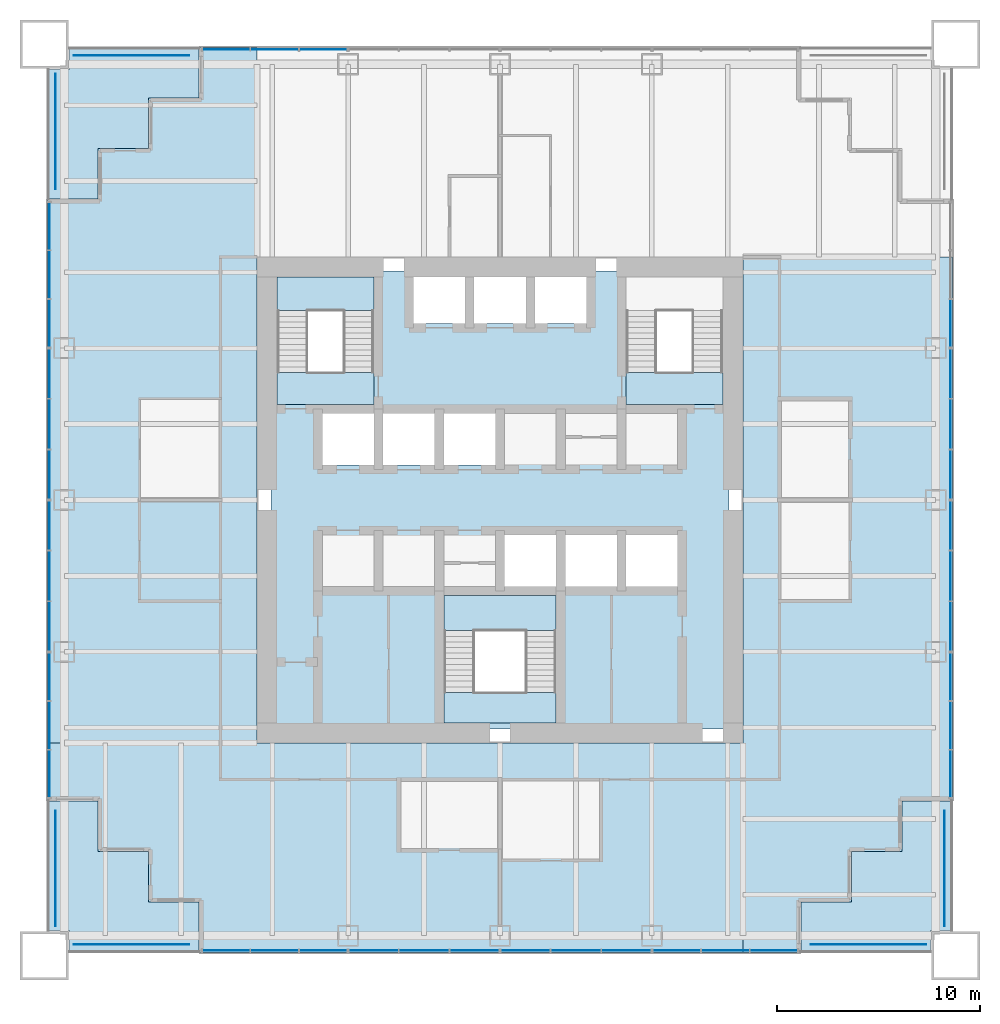
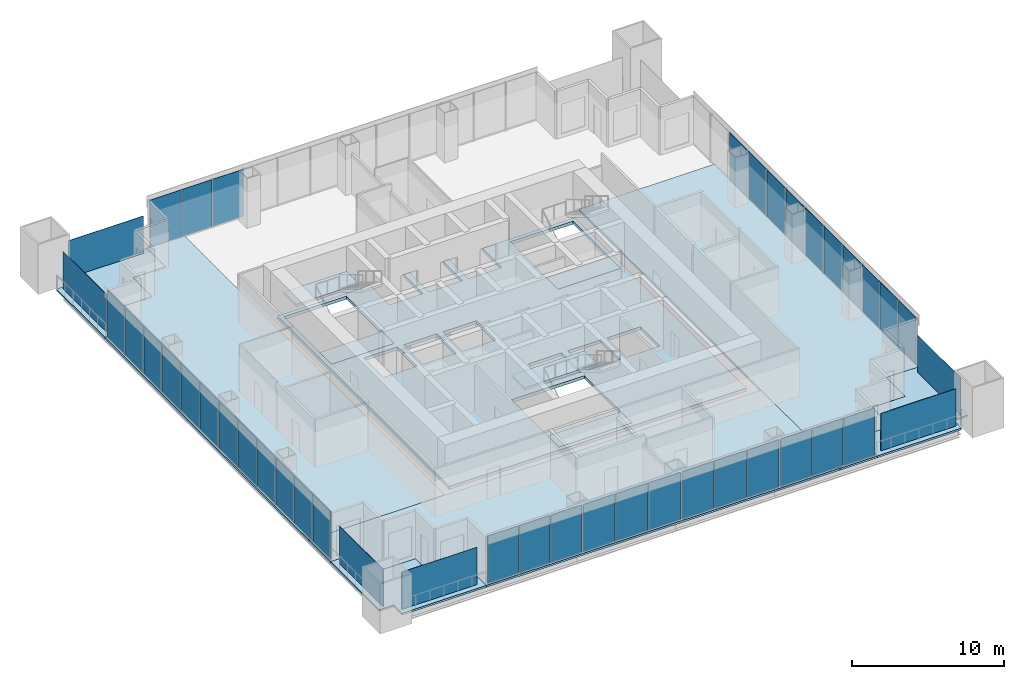
# One storey, part 7 of 13: 43 plates, 12 slabs, 16 elements without a shape of their own.
"""IFC4 building model written with IfcOpenShell, lengths in metres."""

from ifc_helpers import new_model, si_unit, direction, frame, origin, origin_2d, place, context, subcontext, project, spatial, polyline, rectangle, outline, extrude, material, layer, layer_set, type_object, element, aggregate, save


model = new_model("IFC4")

# Units and contexts
model_context = context("Model", 3, precision=1e-05, world=origin(), true_north=direction((0.0, 1.0)))
body_context = subcontext(model_context, "Body", "Model", "MODEL_VIEW")
ifc_project = project(units=[si_unit("LENGTHUNIT", "METRE"), si_unit("AREAUNIT", "SQUARE_METRE"), si_unit("VOLUMEUNIT", "CUBIC_METRE"), si_unit("PLANEANGLEUNIT", "RADIAN"), si_unit("MASSUNIT", "GRAM", prefix="KILO")], contexts=[model_context])

# Site, building, storey
site_placement = place(None, origin())
site = spatial("IfcSite", under=ifc_project, at=site_placement, CompositionType="ELEMENT")
building_placement = place(site_placement, origin())
building = spatial("IfcBuilding", under=site, at=building_placement, Name="Tarangal Relay Tower", CompositionType="ELEMENT")
storey_placement = place(building_placement, frame((0.0, 0.0, 217.89990234375)))
storey = spatial("IfcBuildingStorey", under=building, at=storey_placement, Name="L46", CompositionType="ELEMENT", Elevation=217.89990234375)

# Slabs
ifc_material_1 = material(Name="Concrete fc' 35 MPa", Category="concrete")
ifc_layer_1 = layer(ifc_material_1, 0.25)
ifc_layer_set_1 = layer_set([ifc_layer_1], Name="Core floor slab 250")
slab_type_1 = type_object("IfcSlabType", Name="Core floor slab 250", PredefinedType="FLOOR", material=ifc_layer_set_1)
slab_1_placement = place(storey_placement, frame((0.0, 0.0, -0.25)))
element("IfcSlab", 1, at=slab_1_placement, inside=storey, type_object=slab_type_1, Name="Core floor slab L46", PredefinedType="FLOOR", context=body_context, shape_type="SweptSolid", body=[
    extrude(outline(polyline([(11.300048828125, 11.300048828125), (11.300048828125, -11.300048828125), (-11.300048828125, -11.300048828125), (-11.300048828125, 11.300048828125), (-4.27490234375, 11.300048828125), (-4.27490234375, 8.72509765625), (-1.72509765625, 8.72509765625), (-1.72509765625, 11.300048828125), (-1.27490234375, 11.300048828125), (-1.27490234375, 8.72509765625), (1.27490234375, 8.72509765625), (1.27490234375, 11.300048828125), (1.72509765625, 11.300048828125), (1.72509765625, 8.72509765625), (4.27490234375, 8.72509765625), (4.27490234375, 11.300048828125), (11.300048828125, 11.300048828125)]), holes=[polyline([(-6.22509765625, 4.27490234375), (-8.77490234375, 4.27490234375), (-8.77490234375, 1.72509765625), (-6.22509765625, 1.72509765625), (-6.22509765625, 4.27490234375)]), polyline([(-3.22509765625, 1.72509765625), (-3.22509765625, 4.27490234375), (-5.77490234375, 4.27490234375), (-5.77490234375, 1.72509765625), (-3.22509765625, 1.72509765625)]), polyline([(-0.22509765625, 1.72509765625), (-0.22509765625, 4.27490234375), (-2.77490234375, 4.27490234375), (-2.77490234375, 1.72509765625), (-0.22509765625, 1.72509765625)]), polyline([(-6.22509765625, 11.0), (-11.0, 11.0), (-11.0, 4.72509765625), (-6.22509765625, 4.72509765625), (-6.22509765625, 11.0)]), polyline([(2.77490234375, -4.72509765625), (-2.77490234375, -4.72509765625), (-2.77490234375, -11.0), (2.77490234375, -11.0), (2.77490234375, -4.72509765625)]), polyline([(2.77490234375, -4.27490234375), (2.77490234375, -1.72509765625), (0.22509765625, -1.72509765625), (0.22509765625, -4.27490234375), (2.77490234375, -4.27490234375)]), polyline([(5.77490234375, -4.27490234375), (5.77490234375, -1.72509765625), (3.22509765625, -1.72509765625), (3.22509765625, -4.27490234375), (5.77490234375, -4.27490234375)]), polyline([(8.77490234375, -1.72509765625), (6.22509765625, -1.72509765625), (6.22509765625, -4.27490234375), (8.77490234375, -4.27490234375), (8.77490234375, -1.72509765625)]), polyline([(11.0, 4.72509765625), (11.0, 11.0), (6.22509765625, 11.0), (6.22509765625, 4.72509765625), (11.0, 4.72509765625)])]), origin(), (0.0, 0.0, 1.0), 0.25),
])
ifc_layer_2 = layer(ifc_material_1, 0.14990234375)
ifc_layer_set_2 = layer_set([ifc_layer_2], Name="Floor slab 150")
slab_type_2 = type_object("IfcSlabType", Name="Floor slab 150", PredefinedType="FLOOR", material=ifc_layer_set_2)
slab_2_placement = place(storey_placement, frame((0.0, 0.0, -0.14990234375)))
element("IfcSlab", 2, at=slab_2_placement, inside=storey, type_object=slab_type_2, Name="Floor slab FS3 L46 east bay", PredefinedType="FLOOR", context=body_context, shape_type="SweptSolid", body=[
    extrude(outline(polyline([(22.35009765625, -14.85009765625), (19.85009765625, -14.85009765625), (19.85009765625, -17.35009765625), (17.35009765625, -17.35009765625), (17.35009765625, -19.85009765625), (14.85009765625, -19.85009765625), (14.85009765625, -22.35009765625), (12.0, -22.35009765625), (12.0, 12.0), (22.35009765625, 12.0), (22.35009765625, -14.85009765625)])), origin(), (0.0, 0.0, 1.0), 0.14990234375),
])
slab_3_placement = place(storey_placement, frame((0.0, 0.0, -0.14990234375)))
element("IfcSlab", 3, at=slab_3_placement, inside=storey, type_object=slab_type_2, Name="Floor slab FS3 L46 south bay", PredefinedType="FLOOR", context=body_context, shape_type="SweptSolid", body=[
    extrude(outline(polyline([(-14.85009765625, -22.35009765625), (-14.85009765625, -19.85009765625), (-17.35009765625, -19.85009765625), (-17.35009765625, -17.35009765625), (-19.85009765625, -17.35009765625), (-19.85009765625, -14.85009765625), (-22.35009765625, -14.85009765625), (-22.35009765625, -12.0), (12.0, -12.0), (12.0, -22.35009765625), (-14.85009765625, -22.35009765625)])), origin(), (0.0, 0.0, 1.0), 0.14990234375),
])
slab_4_placement = place(storey_placement, frame((0.0, 0.0, -0.14990234375)))
element("IfcSlab", 4, at=slab_4_placement, inside=storey, type_object=slab_type_2, Name="Floor slab FS3 L46 west bay", PredefinedType="FLOOR", context=body_context, shape_type="SweptSolid", body=[
    extrude(outline(polyline([(-12.0, 22.35009765625), (-12.0, -12.0), (-22.35009765625, -12.0), (-22.35009765625, 14.85009765625), (-19.85009765625, 14.85009765625), (-19.85009765625, 17.35009765625), (-17.35009765625, 17.35009765625), (-17.35009765625, 19.85009765625), (-14.85009765625, 19.85009765625), (-14.85009765625, 22.35009765625), (-12.0, 22.35009765625)])), origin(), (0.0, 0.0, 1.0), 0.14990234375),
])

# Curtain wall, plates
ifc_material_2 = material(Name="Unitised curtain wall, dark glass and black aluminium", Category="aluminium")
curtain_wall_type = type_object("IfcCurtainWallType", Name="Curtain wall CW-A", PredefinedType="USERDEFINED", material=ifc_material_2)
curtain_wall_1_placement = place(storey_placement, origin())
curtain_wall_1 = element("IfcCurtainWall", 5, at=curtain_wall_1_placement, inside=storey, type_object=curtain_wall_type, Name="Curtain wall CW-A N facade L46", ObjectType="UNITISED CURTAIN WALL", PredefinedType="USERDEFINED")
ifc_material_3 = material(Name="Dark tinted insulated glass unit", Category="glass")
ifc_layer_3 = layer(ifc_material_3, 0.031982421875)
ifc_layer_set_3 = layer_set([ifc_layer_3], Name="Glazed panel CW-A 32")
plate_type_1 = type_object("IfcPlateType", Name="Glazed panel CW-A 32", PredefinedType="CURTAIN_PANEL", material=ifc_layer_set_3)
plate_1_placement = place(storey_placement, frame((-13.525390625, 22.25, 0.06494140625), z_axis=(0.0, 0.0, 1.0), x_axis=(1.0, 0.0, 0.0)))
plate_1 = element("IfcPlate", 6, at=plate_1_placement, type_object=plate_type_1, Name="CW-A panel 1.1", PredefinedType="CURTAIN_PANEL", context=body_context, shape_type="SweptSolid", body=[
    extrude(rectangle(XDim=2.319091796875, YDim=0.031982421875, at=origin_2d()), origin(), (0.0, 0.0, 1.0), 3.784912109375),
])
plate_2_placement = place(storey_placement, frame((-11.125, 22.25, 0.06494140625), z_axis=(0.0, 0.0, 1.0), x_axis=(1.0, 0.0, 0.0)))
plate_2 = element("IfcPlate", 7, at=plate_2_placement, type_object=plate_type_1, Name="CW-A panel 2.1", PredefinedType="CURTAIN_PANEL", context=body_context, shape_type="SweptSolid", body=[
    extrude(rectangle(XDim=2.3515625, YDim=0.031982421875, at=origin_2d()), origin(), (0.0, 0.0, 1.0), 3.784912109375),
])
plate_3_placement = place(storey_placement, frame((-8.724609375, 22.25, 0.06494140625), z_axis=(0.0, 0.0, 1.0), x_axis=(1.0, 0.0, 0.0)))
plate_3 = element("IfcPlate", 8, at=plate_3_placement, type_object=plate_type_1, Name="CW-A panel 3.1", PredefinedType="CURTAIN_PANEL", context=body_context, shape_type="SweptSolid", body=[
    extrude(rectangle(XDim=2.319091796875, YDim=0.031982421875, at=origin_2d()), origin(), (0.0, 0.0, 1.0), 3.784912109375),
])
aggregate(curtain_wall_1, [plate_1, plate_2, plate_3])

# Curtain wall, plate
curtain_wall_2_placement = place(storey_placement, origin())
curtain_wall_2 = element("IfcCurtainWall", 9, at=curtain_wall_2_placement, inside=storey, type_object=curtain_wall_type, Name="Curtain wall CW-A E facade L46", ObjectType="UNITISED CURTAIN WALL", PredefinedType="USERDEFINED")
plate_4_placement = place(storey_placement, frame((22.25, 8.724609375, 0.06494140625), z_axis=(0.0, 0.0, 1.0), x_axis=(0.0, -1.0, 0.0)))
plate_4 = element("IfcPlate", 10, at=plate_4_placement, type_object=plate_type_1, Name="CW-A panel 3.1", PredefinedType="CURTAIN_PANEL", context=body_context, shape_type="SweptSolid", body=[
    extrude(rectangle(XDim=2.319091796875, YDim=0.031982421875, at=origin_2d()), origin(), (0.0, 0.0, 1.0), 3.784912109375),
])
aggregate(curtain_wall_2, [plate_4])

# Curtain wall, plates
curtain_wall_3_placement = place(storey_placement, origin())
curtain_wall_3 = element("IfcCurtainWall", 11, at=curtain_wall_3_placement, inside=storey, type_object=curtain_wall_type, Name="Curtain wall CW-A E facade L46", ObjectType="UNITISED CURTAIN WALL", PredefinedType="USERDEFINED")
plate_5_placement = place(storey_placement, frame((22.25, 6.233642578125, 0.06494140625), z_axis=(0.0, 0.0, 1.0), x_axis=(0.0, -1.0, 0.0)))
plate_5 = element("IfcPlate", 12, at=plate_5_placement, type_object=plate_type_1, Name="CW-A panel 1.1", PredefinedType="CURTAIN_PANEL", context=body_context, shape_type="SweptSolid", body=[
    extrude(rectangle(XDim=2.402587890625, YDim=0.031982421875, at=origin_2d()), origin(), (0.0, 0.0, 1.0), 3.784912109375),
])
plate_6_placement = place(storey_placement, frame((22.25, 3.75, 0.06494140625), z_axis=(0.0, 0.0, 1.0), x_axis=(0.0, -1.0, 0.0)))
plate_6 = element("IfcPlate", 13, at=plate_6_placement, type_object=plate_type_1, Name="CW-A panel 2.1", PredefinedType="CURTAIN_PANEL", context=body_context, shape_type="SweptSolid", body=[
    extrude(rectangle(XDim=2.43505859375, YDim=0.031982421875, at=origin_2d()), origin(), (0.0, 0.0, 1.0), 3.784912109375),
])
plate_7_placement = place(storey_placement, frame((22.25, 1.266357421875, 0.06494140625), z_axis=(0.0, 0.0, 1.0), x_axis=(0.0, -1.0, 0.0)))
plate_7 = element("IfcPlate", 14, at=plate_7_placement, type_object=plate_type_1, Name="CW-A panel 3.1", PredefinedType="CURTAIN_PANEL", context=body_context, shape_type="SweptSolid", body=[
    extrude(rectangle(XDim=2.402587890625, YDim=0.031982421875, at=origin_2d()), origin(), (0.0, 0.0, 1.0), 3.784912109375),
])
aggregate(curtain_wall_3, [plate_5, plate_6, plate_7])

curtain_wall_4_placement = place(storey_placement, origin())
curtain_wall_4 = element("IfcCurtainWall", 15, at=curtain_wall_4_placement, inside=storey, type_object=curtain_wall_type, Name="Curtain wall CW-A E facade L46", ObjectType="UNITISED CURTAIN WALL", PredefinedType="USERDEFINED")
plate_8_placement = place(storey_placement, frame((22.25, -1.266357421875, 0.06494140625), z_axis=(0.0, 0.0, 1.0), x_axis=(0.0, -1.0, 0.0)))
plate_8 = element("IfcPlate", 16, at=plate_8_placement, type_object=plate_type_1, Name="CW-A panel 1.1", PredefinedType="CURTAIN_PANEL", context=body_context, shape_type="SweptSolid", body=[
    extrude(rectangle(XDim=2.402587890625, YDim=0.031982421875, at=origin_2d()), origin(), (0.0, 0.0, 1.0), 3.784912109375),
])
plate_9_placement = place(storey_placement, frame((22.25, -3.75, 0.06494140625), z_axis=(0.0, 0.0, 1.0), x_axis=(0.0, -1.0, 0.0)))
plate_9 = element("IfcPlate", 17, at=plate_9_placement, type_object=plate_type_1, Name="CW-A panel 2.1", PredefinedType="CURTAIN_PANEL", context=body_context, shape_type="SweptSolid", body=[
    extrude(rectangle(XDim=2.43505859375, YDim=0.031982421875, at=origin_2d()), origin(), (0.0, 0.0, 1.0), 3.784912109375),
])
plate_10_placement = place(storey_placement, frame((22.25, -6.233642578125, 0.06494140625), z_axis=(0.0, 0.0, 1.0), x_axis=(0.0, -1.0, 0.0)))
plate_10 = element("IfcPlate", 18, at=plate_10_placement, type_object=plate_type_1, Name="CW-A panel 3.1", PredefinedType="CURTAIN_PANEL", context=body_context, shape_type="SweptSolid", body=[
    extrude(rectangle(XDim=2.402587890625, YDim=0.031982421875, at=origin_2d()), origin(), (0.0, 0.0, 1.0), 3.784912109375),
])
aggregate(curtain_wall_4, [plate_8, plate_9, plate_10])

curtain_wall_5_placement = place(storey_placement, origin())
curtain_wall_5 = element("IfcCurtainWall", 19, at=curtain_wall_5_placement, inside=storey, type_object=curtain_wall_type, Name="Curtain wall CW-A E facade L46", ObjectType="UNITISED CURTAIN WALL", PredefinedType="USERDEFINED")
plate_11_placement = place(storey_placement, frame((22.25, -8.724609375, 0.06494140625), z_axis=(0.0, 0.0, 1.0), x_axis=(0.0, -1.0, 0.0)))
plate_11 = element("IfcPlate", 20, at=plate_11_placement, type_object=plate_type_1, Name="CW-A panel 1.1", PredefinedType="CURTAIN_PANEL", context=body_context, shape_type="SweptSolid", body=[
    extrude(rectangle(XDim=2.319091796875, YDim=0.031982421875, at=origin_2d()), origin(), (0.0, 0.0, 1.0), 3.784912109375),
])
plate_12_placement = place(storey_placement, frame((22.25, -11.125, 0.06494140625), z_axis=(0.0, 0.0, 1.0), x_axis=(0.0, -1.0, 0.0)))
plate_12 = element("IfcPlate", 21, at=plate_12_placement, type_object=plate_type_1, Name="CW-A panel 2.1", PredefinedType="CURTAIN_PANEL", context=body_context, shape_type="SweptSolid", body=[
    extrude(rectangle(XDim=2.3515625, YDim=0.031982421875, at=origin_2d()), origin(), (0.0, 0.0, 1.0), 3.784912109375),
])
plate_13_placement = place(storey_placement, frame((22.25, -13.525390625, 0.06494140625), z_axis=(0.0, 0.0, 1.0), x_axis=(0.0, -1.0, 0.0)))
plate_13 = element("IfcPlate", 22, at=plate_13_placement, type_object=plate_type_1, Name="CW-A panel 3.1", PredefinedType="CURTAIN_PANEL", context=body_context, shape_type="SweptSolid", body=[
    extrude(rectangle(XDim=2.319091796875, YDim=0.031982421875, at=origin_2d()), origin(), (0.0, 0.0, 1.0), 3.784912109375),
])
aggregate(curtain_wall_5, [plate_11, plate_12, plate_13])

curtain_wall_6_placement = place(storey_placement, origin())
curtain_wall_6 = element("IfcCurtainWall", 23, at=curtain_wall_6_placement, inside=storey, type_object=curtain_wall_type, Name="Curtain wall CW-A S facade L46", ObjectType="UNITISED CURTAIN WALL", PredefinedType="USERDEFINED")
plate_14_placement = place(storey_placement, frame((13.525390625, -22.25, 0.06494140625), z_axis=(0.0, 0.0, 1.0), x_axis=(-1.0, 0.0, 0.0)))
plate_14 = element("IfcPlate", 24, at=plate_14_placement, type_object=plate_type_1, Name="CW-A panel 1.1", PredefinedType="CURTAIN_PANEL", context=body_context, shape_type="SweptSolid", body=[
    extrude(rectangle(XDim=2.319091796875, YDim=0.031982421875, at=origin_2d()), origin(), (0.0, 0.0, 1.0), 3.784912109375),
])
plate_15_placement = place(storey_placement, frame((11.125, -22.25, 0.06494140625), z_axis=(0.0, 0.0, 1.0), x_axis=(-1.0, 0.0, 0.0)))
plate_15 = element("IfcPlate", 25, at=plate_15_placement, type_object=plate_type_1, Name="CW-A panel 2.1", PredefinedType="CURTAIN_PANEL", context=body_context, shape_type="SweptSolid", body=[
    extrude(rectangle(XDim=2.3515625, YDim=0.031982421875, at=origin_2d()), origin(), (0.0, 0.0, 1.0), 3.784912109375),
])
plate_16_placement = place(storey_placement, frame((8.724609375, -22.25, 0.06494140625), z_axis=(0.0, 0.0, 1.0), x_axis=(-1.0, 0.0, 0.0)))
plate_16 = element("IfcPlate", 26, at=plate_16_placement, type_object=plate_type_1, Name="CW-A panel 3.1", PredefinedType="CURTAIN_PANEL", context=body_context, shape_type="SweptSolid", body=[
    extrude(rectangle(XDim=2.319091796875, YDim=0.031982421875, at=origin_2d()), origin(), (0.0, 0.0, 1.0), 3.784912109375),
])
aggregate(curtain_wall_6, [plate_14, plate_15, plate_16])

curtain_wall_7_placement = place(storey_placement, origin())
curtain_wall_7 = element("IfcCurtainWall", 27, at=curtain_wall_7_placement, inside=storey, type_object=curtain_wall_type, Name="Curtain wall CW-A S facade L46", ObjectType="UNITISED CURTAIN WALL", PredefinedType="USERDEFINED")
plate_17_placement = place(storey_placement, frame((6.233642578125, -22.25, 0.06494140625), z_axis=(0.0, 0.0, 1.0), x_axis=(-1.0, 0.0, 0.0)))
plate_17 = element("IfcPlate", 28, at=plate_17_placement, type_object=plate_type_1, Name="CW-A panel 1.1", PredefinedType="CURTAIN_PANEL", context=body_context, shape_type="SweptSolid", body=[
    extrude(rectangle(XDim=2.402587890625, YDim=0.031982421875, at=origin_2d()), origin(), (0.0, 0.0, 1.0), 3.784912109375),
])
plate_18_placement = place(storey_placement, frame((3.75, -22.25, 0.06494140625), z_axis=(0.0, 0.0, 1.0), x_axis=(-1.0, 0.0, 0.0)))
plate_18 = element("IfcPlate", 29, at=plate_18_placement, type_object=plate_type_1, Name="CW-A panel 2.1", PredefinedType="CURTAIN_PANEL", context=body_context, shape_type="SweptSolid", body=[
    extrude(rectangle(XDim=2.43505859375, YDim=0.031982421875, at=origin_2d()), origin(), (0.0, 0.0, 1.0), 3.784912109375),
])
plate_19_placement = place(storey_placement, frame((1.266357421875, -22.25, 0.06494140625), z_axis=(0.0, 0.0, 1.0), x_axis=(-1.0, 0.0, 0.0)))
plate_19 = element("IfcPlate", 30, at=plate_19_placement, type_object=plate_type_1, Name="CW-A panel 3.1", PredefinedType="CURTAIN_PANEL", context=body_context, shape_type="SweptSolid", body=[
    extrude(rectangle(XDim=2.402587890625, YDim=0.031982421875, at=origin_2d()), origin(), (0.0, 0.0, 1.0), 3.784912109375),
])
aggregate(curtain_wall_7, [plate_17, plate_18, plate_19])

curtain_wall_8_placement = place(storey_placement, origin())
curtain_wall_8 = element("IfcCurtainWall", 31, at=curtain_wall_8_placement, inside=storey, type_object=curtain_wall_type, Name="Curtain wall CW-A S facade L46", ObjectType="UNITISED CURTAIN WALL", PredefinedType="USERDEFINED")
plate_20_placement = place(storey_placement, frame((-1.266357421875, -22.25, 0.06494140625), z_axis=(0.0, 0.0, 1.0), x_axis=(-1.0, 0.0, 0.0)))
plate_20 = element("IfcPlate", 32, at=plate_20_placement, type_object=plate_type_1, Name="CW-A panel 1.1", PredefinedType="CURTAIN_PANEL", context=body_context, shape_type="SweptSolid", body=[
    extrude(rectangle(XDim=2.402587890625, YDim=0.031982421875, at=origin_2d()), origin(), (0.0, 0.0, 1.0), 3.784912109375),
])
plate_21_placement = place(storey_placement, frame((-3.75, -22.25, 0.06494140625), z_axis=(0.0, 0.0, 1.0), x_axis=(-1.0, 0.0, 0.0)))
plate_21 = element("IfcPlate", 33, at=plate_21_placement, type_object=plate_type_1, Name="CW-A panel 2.1", PredefinedType="CURTAIN_PANEL", context=body_context, shape_type="SweptSolid", body=[
    extrude(rectangle(XDim=2.43505859375, YDim=0.031982421875, at=origin_2d()), origin(), (0.0, 0.0, 1.0), 3.784912109375),
])
plate_22_placement = place(storey_placement, frame((-6.233642578125, -22.25, 0.06494140625), z_axis=(0.0, 0.0, 1.0), x_axis=(-1.0, 0.0, 0.0)))
plate_22 = element("IfcPlate", 34, at=plate_22_placement, type_object=plate_type_1, Name="CW-A panel 3.1", PredefinedType="CURTAIN_PANEL", context=body_context, shape_type="SweptSolid", body=[
    extrude(rectangle(XDim=2.402587890625, YDim=0.031982421875, at=origin_2d()), origin(), (0.0, 0.0, 1.0), 3.784912109375),
])
aggregate(curtain_wall_8, [plate_20, plate_21, plate_22])

curtain_wall_9_placement = place(storey_placement, origin())
curtain_wall_9 = element("IfcCurtainWall", 35, at=curtain_wall_9_placement, inside=storey, type_object=curtain_wall_type, Name="Curtain wall CW-A S facade L46", ObjectType="UNITISED CURTAIN WALL", PredefinedType="USERDEFINED")
plate_23_placement = place(storey_placement, frame((-8.724609375, -22.25, 0.06494140625), z_axis=(0.0, 0.0, 1.0), x_axis=(-1.0, 0.0, 0.0)))
plate_23 = element("IfcPlate", 36, at=plate_23_placement, type_object=plate_type_1, Name="CW-A panel 1.1", PredefinedType="CURTAIN_PANEL", context=body_context, shape_type="SweptSolid", body=[
    extrude(rectangle(XDim=2.319091796875, YDim=0.031982421875, at=origin_2d()), origin(), (0.0, 0.0, 1.0), 3.784912109375),
])
plate_24_placement = place(storey_placement, frame((-11.125, -22.25, 0.06494140625), z_axis=(0.0, 0.0, 1.0), x_axis=(-1.0, 0.0, 0.0)))
plate_24 = element("IfcPlate", 37, at=plate_24_placement, type_object=plate_type_1, Name="CW-A panel 2.1", PredefinedType="CURTAIN_PANEL", context=body_context, shape_type="SweptSolid", body=[
    extrude(rectangle(XDim=2.3515625, YDim=0.031982421875, at=origin_2d()), origin(), (0.0, 0.0, 1.0), 3.784912109375),
])
plate_25_placement = place(storey_placement, frame((-13.525390625, -22.25, 0.06494140625), z_axis=(0.0, 0.0, 1.0), x_axis=(-1.0, 0.0, 0.0)))
plate_25 = element("IfcPlate", 38, at=plate_25_placement, type_object=plate_type_1, Name="CW-A panel 3.1", PredefinedType="CURTAIN_PANEL", context=body_context, shape_type="SweptSolid", body=[
    extrude(rectangle(XDim=2.319091796875, YDim=0.031982421875, at=origin_2d()), origin(), (0.0, 0.0, 1.0), 3.784912109375),
])
aggregate(curtain_wall_9, [plate_23, plate_24, plate_25])

curtain_wall_10_placement = place(storey_placement, origin())
curtain_wall_10 = element("IfcCurtainWall", 39, at=curtain_wall_10_placement, inside=storey, type_object=curtain_wall_type, Name="Curtain wall CW-A W facade L46", ObjectType="UNITISED CURTAIN WALL", PredefinedType="USERDEFINED")
plate_26_placement = place(storey_placement, frame((-22.25, -13.525390625, 0.06494140625), z_axis=(0.0, 0.0, 1.0), x_axis=(0.0, 1.0, 0.0)))
plate_26 = element("IfcPlate", 40, at=plate_26_placement, type_object=plate_type_1, Name="CW-A panel 1.1", PredefinedType="CURTAIN_PANEL", context=body_context, shape_type="SweptSolid", body=[
    extrude(rectangle(XDim=2.319091796875, YDim=0.031982421875, at=origin_2d()), origin(), (0.0, 0.0, 1.0), 3.784912109375),
])
plate_27_placement = place(storey_placement, frame((-22.25, -11.125, 0.06494140625), z_axis=(0.0, 0.0, 1.0), x_axis=(0.0, 1.0, 0.0)))
plate_27 = element("IfcPlate", 41, at=plate_27_placement, type_object=plate_type_1, Name="CW-A panel 2.1", PredefinedType="CURTAIN_PANEL", context=body_context, shape_type="SweptSolid", body=[
    extrude(rectangle(XDim=2.3515625, YDim=0.031982421875, at=origin_2d()), origin(), (0.0, 0.0, 1.0), 3.784912109375),
])
plate_28_placement = place(storey_placement, frame((-22.25, -8.724609375, 0.06494140625), z_axis=(0.0, 0.0, 1.0), x_axis=(0.0, 1.0, 0.0)))
plate_28 = element("IfcPlate", 42, at=plate_28_placement, type_object=plate_type_1, Name="CW-A panel 3.1", PredefinedType="CURTAIN_PANEL", context=body_context, shape_type="SweptSolid", body=[
    extrude(rectangle(XDim=2.319091796875, YDim=0.031982421875, at=origin_2d()), origin(), (0.0, 0.0, 1.0), 3.784912109375),
])
aggregate(curtain_wall_10, [plate_26, plate_27, plate_28])

curtain_wall_11_placement = place(storey_placement, origin())
curtain_wall_11 = element("IfcCurtainWall", 43, at=curtain_wall_11_placement, inside=storey, type_object=curtain_wall_type, Name="Curtain wall CW-A W facade L46", ObjectType="UNITISED CURTAIN WALL", PredefinedType="USERDEFINED")
plate_29_placement = place(storey_placement, frame((-22.25, -6.233642578125, 0.06494140625), z_axis=(0.0, 0.0, 1.0), x_axis=(0.0, 1.0, 0.0)))
plate_29 = element("IfcPlate", 44, at=plate_29_placement, type_object=plate_type_1, Name="CW-A panel 1.1", PredefinedType="CURTAIN_PANEL", context=body_context, shape_type="SweptSolid", body=[
    extrude(rectangle(XDim=2.402587890625, YDim=0.031982421875, at=origin_2d()), origin(), (0.0, 0.0, 1.0), 3.784912109375),
])
plate_30_placement = place(storey_placement, frame((-22.25, -3.75, 0.06494140625), z_axis=(0.0, 0.0, 1.0), x_axis=(0.0, 1.0, 0.0)))
plate_30 = element("IfcPlate", 45, at=plate_30_placement, type_object=plate_type_1, Name="CW-A panel 2.1", PredefinedType="CURTAIN_PANEL", context=body_context, shape_type="SweptSolid", body=[
    extrude(rectangle(XDim=2.43505859375, YDim=0.031982421875, at=origin_2d()), origin(), (0.0, 0.0, 1.0), 3.784912109375),
])
plate_31_placement = place(storey_placement, frame((-22.25, -1.266357421875, 0.06494140625), z_axis=(0.0, 0.0, 1.0), x_axis=(0.0, 1.0, 0.0)))
plate_31 = element("IfcPlate", 46, at=plate_31_placement, type_object=plate_type_1, Name="CW-A panel 3.1", PredefinedType="CURTAIN_PANEL", context=body_context, shape_type="SweptSolid", body=[
    extrude(rectangle(XDim=2.402587890625, YDim=0.031982421875, at=origin_2d()), origin(), (0.0, 0.0, 1.0), 3.784912109375),
])
aggregate(curtain_wall_11, [plate_29, plate_30, plate_31])

curtain_wall_12_placement = place(storey_placement, origin())
curtain_wall_12 = element("IfcCurtainWall", 47, at=curtain_wall_12_placement, inside=storey, type_object=curtain_wall_type, Name="Curtain wall CW-A W facade L46", ObjectType="UNITISED CURTAIN WALL", PredefinedType="USERDEFINED")
plate_32_placement = place(storey_placement, frame((-22.25, 1.266357421875, 0.06494140625), z_axis=(0.0, 0.0, 1.0), x_axis=(0.0, 1.0, 0.0)))
plate_32 = element("IfcPlate", 48, at=plate_32_placement, type_object=plate_type_1, Name="CW-A panel 1.1", PredefinedType="CURTAIN_PANEL", context=body_context, shape_type="SweptSolid", body=[
    extrude(rectangle(XDim=2.402587890625, YDim=0.031982421875, at=origin_2d()), origin(), (0.0, 0.0, 1.0), 3.784912109375),
])
plate_33_placement = place(storey_placement, frame((-22.25, 3.75, 0.06494140625), z_axis=(0.0, 0.0, 1.0), x_axis=(0.0, 1.0, 0.0)))
plate_33 = element("IfcPlate", 49, at=plate_33_placement, type_object=plate_type_1, Name="CW-A panel 2.1", PredefinedType="CURTAIN_PANEL", context=body_context, shape_type="SweptSolid", body=[
    extrude(rectangle(XDim=2.43505859375, YDim=0.031982421875, at=origin_2d()), origin(), (0.0, 0.0, 1.0), 3.784912109375),
])
plate_34_placement = place(storey_placement, frame((-22.25, 6.233642578125, 0.06494140625), z_axis=(0.0, 0.0, 1.0), x_axis=(0.0, 1.0, 0.0)))
plate_34 = element("IfcPlate", 50, at=plate_34_placement, type_object=plate_type_1, Name="CW-A panel 3.1", PredefinedType="CURTAIN_PANEL", context=body_context, shape_type="SweptSolid", body=[
    extrude(rectangle(XDim=2.402587890625, YDim=0.031982421875, at=origin_2d()), origin(), (0.0, 0.0, 1.0), 3.784912109375),
])
aggregate(curtain_wall_12, [plate_32, plate_33, plate_34])

curtain_wall_13_placement = place(storey_placement, origin())
curtain_wall_13 = element("IfcCurtainWall", 51, at=curtain_wall_13_placement, inside=storey, type_object=curtain_wall_type, Name="Curtain wall CW-A W facade L46", ObjectType="UNITISED CURTAIN WALL", PredefinedType="USERDEFINED")
plate_35_placement = place(storey_placement, frame((-22.25, 8.724609375, 0.06494140625), z_axis=(0.0, 0.0, 1.0), x_axis=(0.0, 1.0, 0.0)))
plate_35 = element("IfcPlate", 52, at=plate_35_placement, type_object=plate_type_1, Name="CW-A panel 1.1", PredefinedType="CURTAIN_PANEL", context=body_context, shape_type="SweptSolid", body=[
    extrude(rectangle(XDim=2.319091796875, YDim=0.031982421875, at=origin_2d()), origin(), (0.0, 0.0, 1.0), 3.784912109375),
])
plate_36_placement = place(storey_placement, frame((-22.25, 11.125, 0.06494140625), z_axis=(0.0, 0.0, 1.0), x_axis=(0.0, 1.0, 0.0)))
plate_36 = element("IfcPlate", 53, at=plate_36_placement, type_object=plate_type_1, Name="CW-A panel 2.1", PredefinedType="CURTAIN_PANEL", context=body_context, shape_type="SweptSolid", body=[
    extrude(rectangle(XDim=2.3515625, YDim=0.031982421875, at=origin_2d()), origin(), (0.0, 0.0, 1.0), 3.784912109375),
])
plate_37_placement = place(storey_placement, frame((-22.25, 13.525390625, 0.06494140625), z_axis=(0.0, 0.0, 1.0), x_axis=(0.0, 1.0, 0.0)))
plate_37 = element("IfcPlate", 54, at=plate_37_placement, type_object=plate_type_1, Name="CW-A panel 3.1", PredefinedType="CURTAIN_PANEL", context=body_context, shape_type="SweptSolid", body=[
    extrude(rectangle(XDim=2.319091796875, YDim=0.031982421875, at=origin_2d()), origin(), (0.0, 0.0, 1.0), 3.784912109375),
])
aggregate(curtain_wall_13, [plate_35, plate_36, plate_37])

# Plates
ifc_material_4 = material(Name="Black stainless steel cable trellis with climbing planting", Category="steel")
ifc_layer_4 = layer(ifc_material_4, 0.030029296875)
ifc_layer_set_4 = layer_set([ifc_layer_4], Name="Planted trellis screen")
plate_type_2 = type_object("IfcPlateType", Name="Planted trellis screen", PredefinedType="SHEET", material=ifc_layer_set_4)
for number, where, z_axis, x_axis, name in (
    (55, (18.199951171875, -21.949951171875, 0.0), (0.0, 0.0, 1.0), (-1.0, 0.0, 0.0), "Planted trellis SC2 SE L46"),
    (56, (-21.949951171875, -18.199951171875, 0.0), (0.0, 0.0, 1.0), (0.0, 1.0, 0.0), "Planted trellis SC2 SW L46"),
    (57, (-18.199951171875, 21.949951171875, 0.0), (0.0, 0.0, 1.0), (1.0, 0.0, 0.0), "Planted trellis SC2 NW L46"),
):
    element("IfcPlate", number, at=place(storey_placement, frame(where, z_axis=z_axis, x_axis=x_axis)), inside=storey, type_object=plate_type_2, Name=name, PredefinedType="SHEET", context=body_context, shape_type="SweptSolid", body=[
        extrude(rectangle(XDim=5.699951171875, YDim=0.030029296875, at=origin_2d()), origin(), (0.0, 0.0, 1.0), 3.0),
    ])

# Stair, slabs
ifc_material_5 = material(Name="Steel ASTM A992 stair flight", Category="steel")
stair_type = type_object("IfcStairType", Name="Core stair 1500", PredefinedType="HALF_TURN_STAIR", material=ifc_material_5)
stair_1_placement = place(storey_placement, origin())
stair_1 = element("IfcStair", 58, at=stair_1_placement, inside=storey, type_object=stair_type, Name="Stair ST-A L46", PredefinedType="HALF_TURN_STAIR")
ifc_layer_5 = layer(ifc_material_1, 0.199951171875)
ifc_layer_set_5 = layer_set([ifc_layer_5], Name="Stair landing 200")
slab_type_3 = type_object("IfcSlabType", Name="Stair landing 200", PredefinedType="LANDING", material=ifc_layer_set_5)
slab_5_placement = place(storey_placement, frame((0.0, 0.0, -0.199951171875)))
slab_5 = element("IfcSlab", 59, at=slab_5_placement, type_object=slab_type_3, Name="ST-A landing 1", PredefinedType="LANDING", context=body_context, shape_type="SweptSolid", body=[
    extrude(outline(polyline([(-11.0, 4.72509765625), (-6.22509765625, 4.72509765625), (-6.22509765625, 6.300048828125), (-11.0, 6.300048828125), (-11.0, 4.72509765625)])), origin(), (0.0, 0.0, 1.0), 0.199951171875),
])
slab_6_placement = place(storey_placement, frame((0.0, 0.0, 1.800048828125)))
slab_6 = element("IfcSlab", 60, at=slab_6_placement, type_object=slab_type_3, Name="ST-A landing 2", PredefinedType="LANDING", context=body_context, shape_type="SweptSolid", body=[
    extrude(outline(polyline([(-11.0, 9.346923828125), (-6.22509765625, 9.346923828125), (-6.22509765625, 11.0), (-11.0, 11.0), (-11.0, 9.346923828125)])), origin(), (0.0, 0.0, 1.0), 0.199951171875),
])
aggregate(stair_1, [slab_5, slab_6])

# Stair, slab
stair_2_placement = place(storey_placement, origin())
stair_2 = element("IfcStair", 61, at=stair_2_placement, inside=storey, type_object=stair_type, Name="Stair ST-B L46", PredefinedType="HALF_TURN_STAIR")
slab_7_placement = place(storey_placement, frame((0.0, 0.0, -0.199951171875)))
slab_7 = element("IfcSlab", 62, at=slab_7_placement, type_object=slab_type_3, Name="ST-B landing 1", PredefinedType="LANDING", context=body_context, shape_type="SweptSolid", body=[
    extrude(outline(polyline([(6.22509765625, 4.72509765625), (11.0, 4.72509765625), (11.0, 6.300048828125), (6.22509765625, 6.300048828125), (6.22509765625, 4.72509765625)])), origin(), (0.0, 0.0, 1.0), 0.199951171875),
])
aggregate(stair_2, [slab_7])

# Stair, slabs
stair_3_placement = place(storey_placement, origin())
stair_3 = element("IfcStair", 63, at=stair_3_placement, inside=storey, type_object=stair_type, Name="Stair ST-C L46", PredefinedType="HALF_TURN_STAIR")
slab_8_placement = place(storey_placement, frame((0.0, 0.0, -0.199951171875)))
slab_8 = element("IfcSlab", 64, at=slab_8_placement, type_object=slab_type_3, Name="ST-C landing 1", PredefinedType="LANDING", context=body_context, shape_type="SweptSolid", body=[
    extrude(outline(polyline([(-2.77490234375, -11.0), (2.77490234375, -11.0), (2.77490234375, -9.5), (-2.77490234375, -9.5), (-2.77490234375, -11.0)])), origin(), (0.0, 0.0, 1.0), 0.199951171875),
])
slab_9_placement = place(storey_placement, frame((0.0, 0.0, 1.800048828125)))
slab_9 = element("IfcSlab", 65, at=slab_9_placement, type_object=slab_type_3, Name="ST-C landing 2", PredefinedType="LANDING", context=body_context, shape_type="SweptSolid", body=[
    extrude(outline(polyline([(-2.77490234375, -6.452880859375), (2.77490234375, -6.452880859375), (2.77490234375, -4.72509765625), (-2.77490234375, -4.72509765625), (-2.77490234375, -6.452880859375)])), origin(), (0.0, 0.0, 1.0), 0.199951171875),
])
aggregate(stair_3, [slab_8, slab_9])

# Plates
ifc_material_6 = material(Name="Perforated black aluminium screen", Category="aluminium")
ifc_layer_6 = layer(ifc_material_6, 0.02001953125)
ifc_layer_set_6 = layer_set([ifc_layer_6], Name="Terrace screen panel")
plate_type_3 = type_object("IfcPlateType", Name="Terrace screen panel", PredefinedType="SHEET", material=ifc_layer_set_6)
for number, where, z_axis, x_axis, name in (
    (66, (21.949951171875, -18.199951171875, 0.0), (0.0, 0.0, 1.0), (0.0, -1.0, 0.0), "Terrace screen SC1 SE L46"),
    (67, (-18.199951171875, -21.949951171875, 0.0), (0.0, 0.0, 1.0), (-1.0, 0.0, 0.0), "Terrace screen SC1 SW L46"),
    (68, (-21.949951171875, 18.199951171875, 0.0), (0.0, 0.0, 1.0), (0.0, 1.0, 0.0), "Terrace screen SC1 NW L46"),
):
    element("IfcPlate", number, at=place(storey_placement, frame(where, z_axis=z_axis, x_axis=x_axis)), inside=storey, type_object=plate_type_3, Name=name, PredefinedType="SHEET", context=body_context, shape_type="SweptSolid", body=[
        extrude(rectangle(XDim=5.699951171875, YDim=0.02001953125, at=origin_2d()), origin(), (0.0, 0.0, 1.0), 3.0),
    ])

# Slabs
ifc_layer_7 = layer(ifc_material_1, 0.14990234375)
ifc_layer_set_7 = layer_set([ifc_layer_7], Name="Terrace slab 150")
slab_type_4 = type_object("IfcSlabType", Name="Terrace slab 150", PredefinedType="FLOOR", material=ifc_layer_set_7)
slab_10_placement = place(storey_placement, frame((0.0, 0.0, -0.14990234375)))
element("IfcSlab", 69, at=slab_10_placement, inside=storey, type_object=slab_type_4, Name="Corner terrace SE L46", PredefinedType="FLOOR", context=body_context, shape_type="SweptSolid", body=[
    extrude(outline(polyline([(22.35009765625, -14.85009765625), (19.85009765625, -14.85009765625), (19.85009765625, -17.35009765625), (17.35009765625, -17.35009765625), (17.35009765625, -19.85009765625), (14.85009765625, -19.85009765625), (14.85009765625, -22.35009765625), (21.25, -22.35009765625), (21.25, -21.25), (22.35009765625, -21.25), (22.35009765625, -14.85009765625)])), origin(), (0.0, 0.0, 1.0), 0.14990234375),
])
slab_11_placement = place(storey_placement, frame((0.0, 0.0, -0.14990234375)))
element("IfcSlab", 70, at=slab_11_placement, inside=storey, type_object=slab_type_4, Name="Corner terrace SW L46", PredefinedType="FLOOR", context=body_context, shape_type="SweptSolid", body=[
    extrude(outline(polyline([(-14.85009765625, -22.35009765625), (-14.85009765625, -19.85009765625), (-17.35009765625, -19.85009765625), (-17.35009765625, -17.35009765625), (-19.85009765625, -17.35009765625), (-19.85009765625, -14.85009765625), (-22.35009765625, -14.85009765625), (-22.35009765625, -21.25), (-21.25, -21.25), (-21.25, -22.35009765625), (-14.85009765625, -22.35009765625)])), origin(), (0.0, 0.0, 1.0), 0.14990234375),
])
slab_12_placement = place(storey_placement, frame((0.0, 0.0, -0.14990234375)))
element("IfcSlab", 71, at=slab_12_placement, inside=storey, type_object=slab_type_4, Name="Corner terrace NW L46", PredefinedType="FLOOR", context=body_context, shape_type="SweptSolid", body=[
    extrude(outline(polyline([(-22.35009765625, 14.85009765625), (-19.85009765625, 14.85009765625), (-19.85009765625, 17.35009765625), (-17.35009765625, 17.35009765625), (-17.35009765625, 19.85009765625), (-14.85009765625, 19.85009765625), (-14.85009765625, 22.35009765625), (-21.25, 22.35009765625), (-21.25, 21.25), (-22.35009765625, 21.25), (-22.35009765625, 14.85009765625)])), origin(), (0.0, 0.0, 1.0), 0.14990234375),
])

save(model, "model.ifc")
